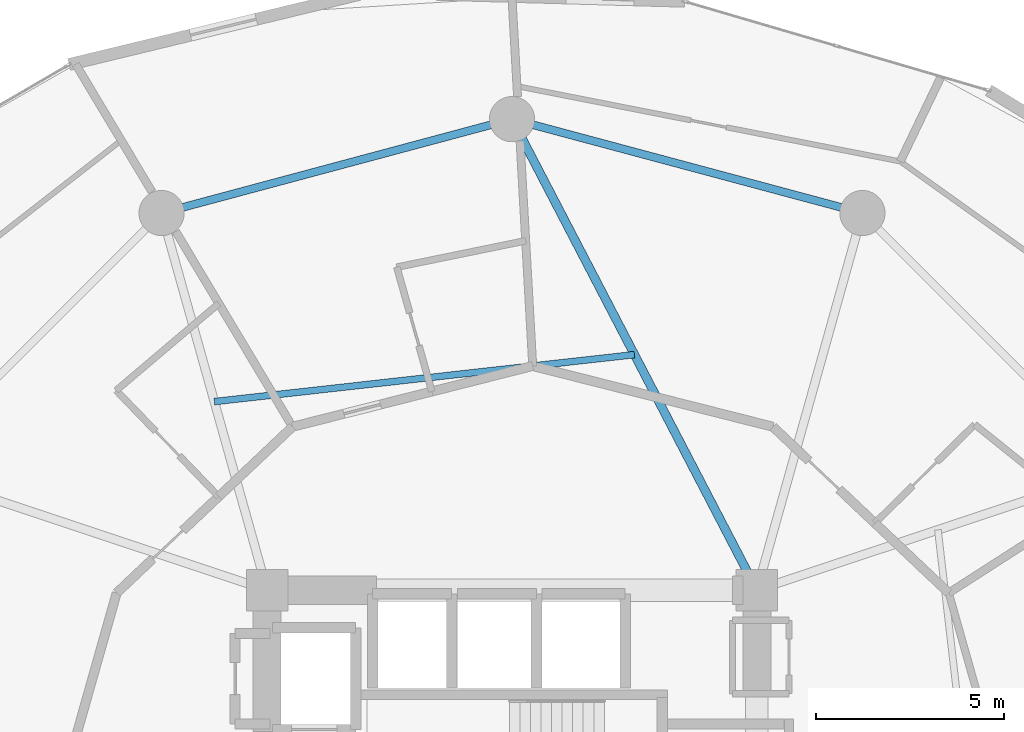
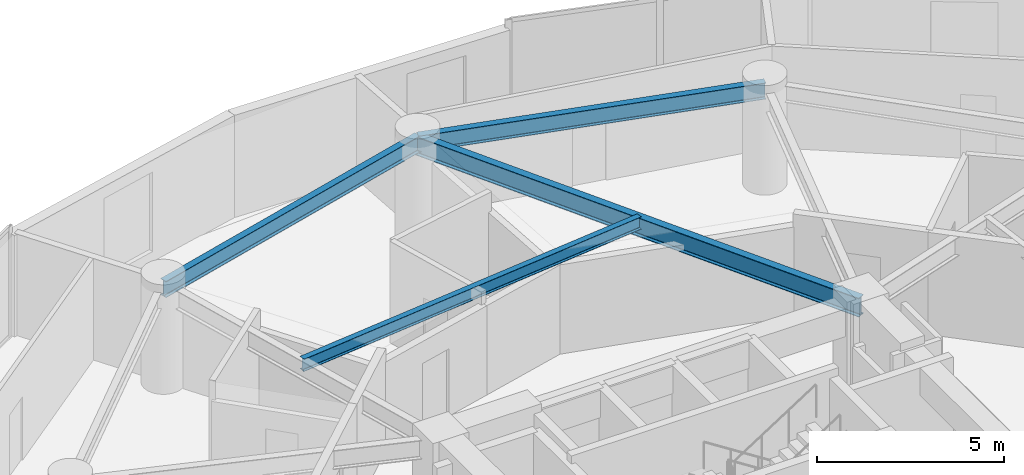
# One storey, part 12 of 23: 4 beams.
"""IFC4 building model written with IfcOpenShell, lengths in metres."""

from ifc_helpers import new_model, si_unit, direction, frame, origin, origin_2d, place, context, subcontext, project, spatial, i_section, extrude, material, material_profile, profile_set, type_object, element, save


model = new_model("IFC4")

# Units and contexts
model_context = context("Model", 3, precision=1e-05, world=origin(), true_north=direction((0.0, 1.0)))
body_context = subcontext(model_context, "Body", "Model", "MODEL_VIEW")
ifc_project = project(units=[si_unit("LENGTHUNIT", "METRE"), si_unit("AREAUNIT", "SQUARE_METRE"), si_unit("VOLUMEUNIT", "CUBIC_METRE"), si_unit("PLANEANGLEUNIT", "RADIAN"), si_unit("MASSUNIT", "GRAM", prefix="KILO")], contexts=[model_context])

# Site, building, storey
site_placement = place(None, origin())
site = spatial("IfcSite", under=ifc_project, at=site_placement, CompositionType="ELEMENT")
building_placement = place(site_placement, origin())
building = spatial("IfcBuilding", under=site, at=building_placement, Name="Solvirekh Grand Hotel", CompositionType="ELEMENT")
storey_placement = place(building_placement, frame((0.0, 0.0, 42.800048828125)))
storey = spatial("IfcBuildingStorey", under=building, at=storey_placement, Name="L09", CompositionType="ELEMENT", Elevation=42.800048828125)

# Beams
ifc_material = material(Name="Steel S355", Category="steel")
ifc_material_profile_1 = material_profile(ifc_material, i_section(OverallWidth=0.22802734375, OverallDepth=0.616943359375, WebThickness=0.012939453125, FlangeThickness=0.02001953125, FilletRadius=0.014892578125, at=origin_2d()), Name="W610X140")
ifc_profile_set_1 = profile_set([ifc_material_profile_1], Name="Steel S355")
beam_type_1 = type_object("IfcBeamType", Name="Beam_Radial_W610", PredefinedType="BEAM", material=ifc_profile_set_1)
beam_1_placement = place(storey_placement, frame((6.5, 6.10009765625, 3.031005859375), z_axis=(-0.461352736642, 0.887216801235, 0.0), x_axis=(-0.887216801235, -0.461352736642, 0.0)))
element("IfcBeam", 1, at=beam_1_placement, inside=storey, type_object=beam_type_1, Name="L09 radial floor beam R04", PredefinedType="BEAM", context=body_context, shape_type="SweptSolid", body=[
    extrude(i_section(OverallWidth=0.22802734375, OverallDepth=0.616943359375, WebThickness=0.012939453125, FlangeThickness=0.02001953125, FilletRadius=0.014892578125, at=origin_2d()), origin(), (0.0, 0.0, 1.0), 14.089111328125),
])
ifc_material_profile_2 = material_profile(ifc_material, i_section(OverallWidth=0.177978515625, OverallDepth=0.406982421875, WebThickness=0.008056640625, FlangeThickness=0.011962890625, FilletRadius=0.011962890625, at=origin_2d()), Name="W410X60")
ifc_profile_set_2 = profile_set([ifc_material_profile_2], Name="Steel S355")
beam_type_2 = type_object("IfcBeamType", Name="Joist_Floor_W410", PredefinedType="JOIST", material=ifc_profile_set_2)
beam_2_placement = place(storey_placement, frame((3.25, 12.35009765625, 3.136962890625), z_axis=(-0.99381294191, -0.111066810937, 0.0), x_axis=(0.111066810937, -0.99381294191, 0.0)))
element("IfcBeam", 2, at=beam_2_placement, inside=storey, type_object=beam_type_2, Name="L09 secondary composite floor joist 4", PredefinedType="JOIST", context=body_context, shape_type="SweptSolid", body=[
    extrude(i_section(OverallWidth=0.177978515625, OverallDepth=0.406982421875, WebThickness=0.008056640625, FlangeThickness=0.011962890625, FilletRadius=0.011962890625, at=origin_2d()), origin(), (0.0, 0.0, 1.0), 11.21923828125),
])
ifc_material_profile_3 = material_profile(ifc_material, i_section(OverallWidth=0.208984375, OverallDepth=0.532958984375, WebThickness=0.010009765625, FlangeThickness=0.014892578125, FilletRadius=0.013916015625, at=origin_2d()), Name="W530X92")
ifc_profile_set_3 = profile_set([ifc_material_profile_3], Name="Steel S355")
beam_type_3 = type_object("IfcBeamType", Name="Spandrel_Ring_W530", PredefinedType="SPANDREL", material=ifc_profile_set_3)
for number, where, z_axis, x_axis, name in (
    (3, (9.300048828125, 16.10791015625, 3.072998046875), (-0.965919414426, 0.258842973314, 0.0), (-0.258842973314, -0.965919414426, 0.0), "L09 perimeter spandrel beam 3"),
    (4, (0.0, 18.60009765625, 3.072998046875), (-0.965919414426, -0.258842973314, 0.0), (0.258842973314, -0.965919414426, 0.0), "L09 perimeter spandrel beam 4"),
):
    element("IfcBeam", number, at=place(storey_placement, frame(where, z_axis=z_axis, x_axis=x_axis)), inside=storey, type_object=beam_type_3, Name=name, PredefinedType="SPANDREL", context=body_context, shape_type="SweptSolid", body=[
        extrude(i_section(OverallWidth=0.208984375, OverallDepth=0.532958984375, WebThickness=0.010009765625, FlangeThickness=0.014892578125, FilletRadius=0.013916015625, at=origin_2d()), origin(), (0.0, 0.0, 1.0), 9.628173828125),
    ])

save(model, "model.ifc")
